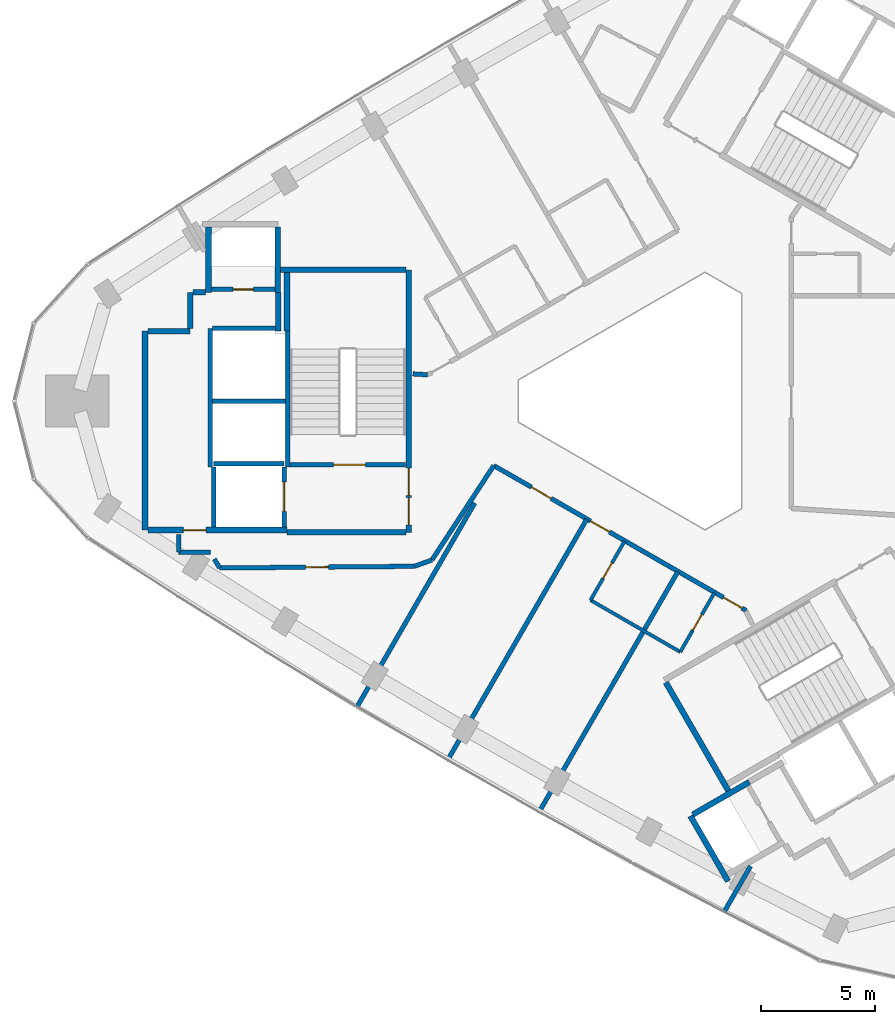
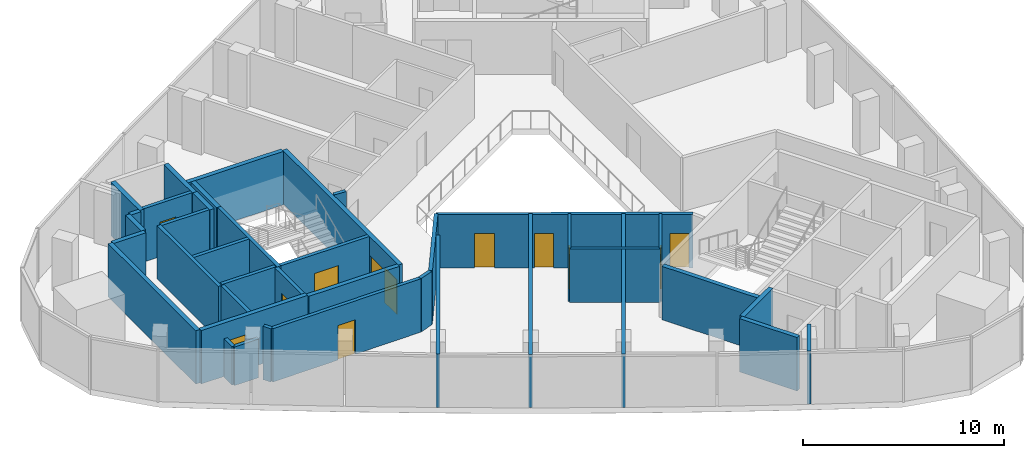
# One storey, part 7 of 11: 39 walls, 12 doors, 12 openings.
"""IFC4 building model written with IfcOpenShell, lengths in metres."""

from ifc_helpers import new_model, si_unit, direction, frame, frame_2d, origin, place, context, subcontext, project, spatial, rectangle, extrude, material, layer, layer_set, type_object, element, fill, save


model = new_model("IFC4")

# Units and contexts
model_context = context("Model", 3, precision=1e-05, world=origin(), true_north=direction((0.0, 1.0)))
body_context = subcontext(model_context, "Body", "Model", "MODEL_VIEW")
ifc_project = project(units=[si_unit("LENGTHUNIT", "METRE"), si_unit("AREAUNIT", "SQUARE_METRE"), si_unit("VOLUMEUNIT", "CUBIC_METRE"), si_unit("PLANEANGLEUNIT", "RADIAN"), si_unit("MASSUNIT", "GRAM", prefix="KILO")], contexts=[model_context])

# Site, building, storey
site_placement = place(None, origin())
site = spatial("IfcSite", under=ifc_project, at=site_placement, CompositionType="ELEMENT")
building_placement = place(site_placement, origin())
building = spatial("IfcBuilding", under=site, at=building_placement, Name="Tamra Quay Hotel Tower", CompositionType="ELEMENT")
storey_placement = place(building_placement, frame((0.0, 0.0, 225.0)))
storey = spatial("IfcBuildingStorey", under=building, at=storey_placement, Name="L56", CompositionType="ELEMENT", Elevation=225.0)

# Walls
ifc_material_1 = material(Name="Concrete M70", Category="concrete")
ifc_layer_1 = layer(ifc_material_1, 0.199951171875)
ifc_layer_set_1 = layer_set([ifc_layer_1], Name="Concrete M70 core wall 200")
wall_type_1 = type_object("IfcWallType", Name="Concrete M70 core wall 200", PredefinedType="SHEAR", material=ifc_layer_set_1)
wall_1_placement = place(storey_placement, frame((-16.162109375, 3.073974609375, 0.0), z_axis=(0.0, 0.0, 1.0), x_axis=(0.0, -1.0, 0.0)))
element("IfcWall", 1, at=wall_1_placement, inside=storey, type_object=wall_type_1, Name="CW2", PredefinedType="SHEAR", context=body_context, shape_type="SweptSolid", body=[
    extrude(rectangle(XDim=5.97412109375, YDim=0.199951171875, at=frame_2d((2.987060546875, 0.0))), origin(), (0.0, 0.0, 1.0), 3.25),
])
wall_2_placement = place(storey_placement, frame((-19.5625, -2.900146484375, 0.0), z_axis=(0.0, 0.0, 1.0), x_axis=(0.0, 1.0, 0.0)))
element("IfcWall", 2, at=wall_2_placement, inside=storey, type_object=wall_type_1, Name="CW2", PredefinedType="SHEAR", context=body_context, shape_type="SweptSolid", body=[
    extrude(rectangle(XDim=6.100341796875, YDim=0.199951171875, at=frame_2d((3.05029296875, 0.0))), origin(), (0.0, 0.0, 1.0), 3.25),
])

# Wall, opening, door
wall_3_placement = place(storey_placement, frame((-10.96337890625, -2.800048828125, 0.0), z_axis=(0.0, 0.0, 1.0), x_axis=(-1.0, 0.0, 0.0)))
wall_3 = element("IfcWall", 3, at=wall_3_placement, inside=storey, type_object=wall_type_1, Name="CW2", PredefinedType="SHEAR", context=body_context, shape_type="SweptSolid", body=[
    extrude(rectangle(XDim=5.097900390625, YDim=0.199951171875, at=frame_2d((2.548828125, 0.0))), origin(), (0.0, 0.0, 1.0), 3.25),
])
opening_1_placement = place(wall_3_placement, frame((1.77392578125, 0.0, 0.0)))
opening_1 = element("IfcOpeningElement", 4, at=opening_1_placement, cuts=wall_3, Name="Opening FD2", PredefinedType="OPENING", context=body_context, shape_type="SweptSolid", body=[
    extrude(rectangle(XDim=1.39990234375, YDim=2.10009765625, at=frame_2d((0.699951171875, 1.050048828125))), frame((0.0, 0.10986328125, 0.0), z_axis=(0.0, -1.0, 0.0), x_axis=(1.0, 0.0, 0.0)), (0.0, 0.0, 1.0), 0.219970703125),
])
ifc_material_2 = material(Name="Core door FD2 1400x2100 RH")
door_type_1 = type_object("IfcDoorType", Name="Core door FD2 1400x2100 RH", OperationType="NOTDEFINED", PredefinedType="DOOR", material=ifc_material_2)
door_1_placement = place(opening_1_placement, origin())
door_1 = element("IfcDoor", 5, at=door_1_placement, inside=storey, type_object=door_type_1, Name="FD2", OperationType="SINGLE_SWING_RIGHT", OverallHeight=2.10009765625, OverallWidth=1.39990234375, PredefinedType="DOOR", context=body_context, shape_type="SweptSolid", body=[
    extrude(rectangle(XDim=1.39990234375, YDim=2.10009765625, at=frame_2d((0.699951171875, 1.050048828125))), frame((0.0, 0.02490234375, 0.0), z_axis=(0.0, -1.0, 0.0), x_axis=(1.0, 0.0, 0.0)), (0.0, 0.0, 1.0), 0.050048828125),
])
fill(opening_1, door_1)

# Wall
wall_4_placement = place(storey_placement, frame((-16.26318359375, 0.0, 0.0), z_axis=(0.0, 0.0, 1.0), x_axis=(-1.0, 0.0, 0.0)))
element("IfcWall", 6, at=wall_4_placement, inside=storey, type_object=wall_type_1, Name="CW2", PredefinedType="SHEAR", context=body_context, shape_type="SweptSolid", body=[
    extrude(rectangle(XDim=3.1982421875, YDim=0.199951171875, at=frame_2d((1.59912109375, 0.0))), origin(), (0.0, 0.0, 1.0), 3.25),
])

# Wall, opening, door
wall_5_placement = place(storey_placement, frame((-19.51123046875, 4.91015625, 0.0), z_axis=(0.0, 0.0, 1.0), x_axis=(1.0, 0.0, 0.0)))
wall_5 = element("IfcWall", 7, at=wall_5_placement, inside=storey, type_object=wall_type_1, Name="CW2", PredefinedType="SHEAR", context=body_context, shape_type="SweptSolid", body=[
    extrude(rectangle(XDim=2.7978515625, YDim=0.199951171875, at=frame_2d((1.39892578125, 0.0))), origin(), (0.0, 0.0, 1.0), 3.25),
])
opening_2_placement = place(wall_5_placement, frame((0.948974609375, 0.0, 0.0)))
opening_2 = element("IfcOpeningElement", 8, at=opening_2_placement, cuts=wall_5, Name="Opening D1", PredefinedType="OPENING", context=body_context, shape_type="SweptSolid", body=[
    extrude(rectangle(XDim=0.89990234375, YDim=2.10009765625, at=frame_2d((0.449951171875, 1.050048828125))), frame((0.0, 0.10986328125, 0.0), z_axis=(0.0, -1.0, 0.0), x_axis=(1.0, 0.0, 0.0)), (0.0, 0.0, 1.0), 0.219970703125),
])
ifc_material_3 = material(Name="Core door D1 900x2100 LH")
door_type_2 = type_object("IfcDoorType", Name="Core door D1 900x2100 LH", OperationType="NOTDEFINED", PredefinedType="DOOR", material=ifc_material_3)
door_2_placement = place(opening_2_placement, origin())
door_2 = element("IfcDoor", 9, at=door_2_placement, inside=storey, type_object=door_type_2, Name="D1", OperationType="SINGLE_SWING_LEFT", OverallHeight=2.10009765625, OverallWidth=0.89990234375, PredefinedType="DOOR", context=body_context, shape_type="SweptSolid", body=[
    extrude(rectangle(XDim=0.89990234375, YDim=2.10009765625, at=frame_2d((0.449951171875, 1.050048828125))), frame((0.0, 0.02490234375, 0.0), z_axis=(0.0, -1.0, 0.0), x_axis=(1.0, 0.0, 0.0)), (0.0, 0.0, 1.0), 0.050048828125),
])
fill(opening_2, door_2)

# Walls
wall_6_placement = place(storey_placement, frame((-19.46240234375, 3.2001953125, 0.0), z_axis=(0.0, 0.0, 1.0), x_axis=(1.0, 0.0, 0.0)))
element("IfcWall", 10, at=wall_6_placement, inside=storey, type_object=wall_type_1, Name="CW2", PredefinedType="SHEAR", context=body_context, shape_type="SweptSolid", body=[
    extrude(rectangle(XDim=2.759033203125, YDim=0.199951171875, at=frame_2d((1.37939453125, 0.0))), origin(), (0.0, 0.0, 1.0), 3.25),
])
wall_7_placement = place(storey_placement, frame((-19.412353515625, -2.75, 0.0), z_axis=(0.0, 0.0, 1.0), x_axis=(1.0, 0.0, 0.0)))
element("IfcWall", 11, at=wall_7_placement, inside=storey, type_object=wall_type_1, Name="CW2", PredefinedType="SHEAR", context=body_context, shape_type="SweptSolid", body=[
    extrude(rectangle(XDim=3.10009765625, YDim=0.199951171875, at=frame_2d((1.550048828125, 0.0))), origin(), (0.0, 0.0, 1.0), 3.25),
])

# Wall, opening, door
wall_8_placement = place(storey_placement, frame((-16.312255859375, -2.898193359375, 0.0), z_axis=(0.0, 0.0, 1.0), x_axis=(0.0, -1.0, 0.0)))
wall_8 = element("IfcWall", 12, at=wall_8_placement, inside=storey, type_object=wall_type_1, Name="CW2", PredefinedType="SHEAR", context=body_context, shape_type="SweptSolid", body=[
    extrude(rectangle(XDim=2.65087890625, YDim=0.199951171875, at=frame_2d((1.325439453125, 0.0))), origin(), (0.0, 0.0, 1.0), 3.25),
])
opening_3_placement = place(wall_8_placement, frame((0.65185546875, 0.0, 0.0)))
opening_3 = element("IfcOpeningElement", 13, at=opening_3_placement, cuts=wall_8, Name="Opening LD", PredefinedType="OPENING", context=body_context, shape_type="SweptSolid", body=[
    extrude(rectangle(XDim=1.300048828125, YDim=2.10009765625, at=frame_2d((0.64990234375, 1.050048828125))), frame((0.0, 0.10986328125, 0.0), z_axis=(0.0, -1.0, 0.0), x_axis=(1.0, 0.0, 0.0)), (0.0, 0.0, 1.0), 0.219970703125),
])
ifc_material_4 = material(Name="Landing door LD 1300 sliding to right")
door_type_3 = type_object("IfcDoorType", Name="Landing door LD 1300 sliding to right", OperationType="NOTDEFINED", PredefinedType="DOOR", material=ifc_material_4)
door_3_placement = place(opening_3_placement, origin())
door_3 = element("IfcDoor", 14, at=door_3_placement, inside=storey, type_object=door_type_3, Name="LD", OperationType="SLIDING_TO_RIGHT", OverallHeight=2.10009765625, OverallWidth=1.300048828125, PredefinedType="DOOR", context=body_context, shape_type="SweptSolid", body=[
    extrude(rectangle(XDim=1.300048828125, YDim=2.10009765625, at=frame_2d((0.64990234375, 1.050048828125))), frame((0.0, 0.02490234375, 0.0), z_axis=(0.0, -1.0, 0.0), x_axis=(1.0, 0.0, 0.0)), (0.0, 0.0, 1.0), 0.050048828125),
])
fill(opening_3, door_3)

# Wall
wall_9_placement = place(storey_placement, frame((-19.412353515625, -5.549072265625, 0.0), z_axis=(0.0, 0.0, 1.0), x_axis=(0.0, 1.0, 0.0)))
element("IfcWall", 15, at=wall_9_placement, inside=storey, type_object=wall_type_1, Name="CW2", PredefinedType="SHEAR", context=body_context, shape_type="SweptSolid", body=[
    extrude(rectangle(XDim=2.65087890625, YDim=0.199951171875, at=frame_2d((1.325439453125, 0.0))), origin(), (0.0, 0.0, 1.0), 3.25),
])

# Wall, openings, doors
ifc_layer_2 = layer(ifc_material_1, 0.25)
ifc_layer_set_2 = layer_set([ifc_layer_2], Name="Concrete M70 core wall 250")
wall_type_2 = type_object("IfcWallType", Name="Concrete M70 core wall 250", PredefinedType="SHEAR", material=ifc_layer_set_2)
wall_10_placement = place(storey_placement, frame((-10.83740234375, 5.77490234375, 0.0), z_axis=(0.0, 0.0, 1.0), x_axis=(0.0, -1.0, 0.0)))
wall_10 = element("IfcWall", 16, at=wall_10_placement, inside=storey, type_object=wall_type_2, Name="CW1", PredefinedType="SHEAR", context=body_context, shape_type="SweptSolid", body=[
    extrude(rectangle(XDim=11.5498046875, YDim=0.25, at=frame_2d((5.77490234375, 0.0))), origin(), (0.0, 0.0, 1.0), 3.25),
])
opening_4_placement = place(wall_10_placement, frame((10.02490234375, 0.0, 0.0)))
opening_4 = element("IfcOpeningElement", 17, at=opening_4_placement, cuts=wall_10, Name="Opening FD1", PredefinedType="OPENING", context=body_context, shape_type="SweptSolid", body=[
    extrude(rectangle(XDim=1.199951171875, YDim=2.10009765625, at=frame_2d((0.60009765625, 1.050048828125))), frame((0.0, 0.135009765625, 0.0), z_axis=(0.0, -1.0, 0.0), x_axis=(1.0, 0.0, 0.0)), (0.0, 0.0, 1.0), 0.27001953125),
])
opening_5_placement = place(wall_10_placement, frame((8.72509765625, 0.0, 0.0)))
opening_5 = element("IfcOpeningElement", 18, at=opening_5_placement, cuts=wall_10, Name="Opening FD1", PredefinedType="OPENING", context=body_context, shape_type="SweptSolid", body=[
    extrude(rectangle(XDim=1.199951171875, YDim=2.10009765625, at=frame_2d((0.60009765625, 1.050048828125))), frame((0.0, 0.135009765625, 0.0), z_axis=(0.0, -1.0, 0.0), x_axis=(1.0, 0.0, 0.0)), (0.0, 0.0, 1.0), 0.27001953125),
])
ifc_material_5 = material(Name="Core door FD1 1200x2100 LH")
door_type_4 = type_object("IfcDoorType", Name="Core door FD1 1200x2100 LH", OperationType="NOTDEFINED", PredefinedType="DOOR", material=ifc_material_5)
door_4_placement = place(opening_4_placement, origin())
door_4 = element("IfcDoor", 19, at=door_4_placement, inside=storey, type_object=door_type_4, Name="FD1", OperationType="SINGLE_SWING_LEFT", OverallHeight=2.10009765625, OverallWidth=1.199951171875, PredefinedType="DOOR", context=body_context, shape_type="SweptSolid", body=[
    extrude(rectangle(XDim=1.199951171875, YDim=2.10009765625, at=frame_2d((0.60009765625, 1.050048828125))), frame((0.0, 0.02490234375, 0.0), z_axis=(0.0, -1.0, 0.0), x_axis=(1.0, 0.0, 0.0)), (0.0, 0.0, 1.0), 0.050048828125),
])
fill(opening_4, door_4)
ifc_material_6 = material(Name="Core door FD1 1200x2100 RH")
door_type_5 = type_object("IfcDoorType", Name="Core door FD1 1200x2100 RH", OperationType="NOTDEFINED", PredefinedType="DOOR", material=ifc_material_6)
door_5_placement = place(opening_5_placement, origin())
door_5 = element("IfcDoor", 20, at=door_5_placement, inside=storey, type_object=door_type_5, Name="FD1", OperationType="SINGLE_SWING_RIGHT", OverallHeight=2.10009765625, OverallWidth=1.199951171875, PredefinedType="DOOR", context=body_context, shape_type="SweptSolid", body=[
    extrude(rectangle(XDim=1.199951171875, YDim=2.10009765625, at=frame_2d((0.60009765625, 1.050048828125))), frame((0.0, 0.02490234375, 0.0), z_axis=(0.0, -1.0, 0.0), x_axis=(1.0, 0.0, 0.0)), (0.0, 0.0, 1.0), 0.050048828125),
])
fill(opening_5, door_5)

# Wall
wall_11_placement = place(storey_placement, frame((-22.437255859375, -5.675048828125, 0.0), z_axis=(0.0, 0.0, 1.0), x_axis=(0.0, 1.0, 0.0)))
element("IfcWall", 21, at=wall_11_placement, inside=storey, type_object=wall_type_2, Name="CW1", PredefinedType="SHEAR", context=body_context, shape_type="SweptSolid", body=[
    extrude(rectangle(XDim=8.75, YDim=0.25, at=frame_2d((4.375, 0.0))), origin(), (0.0, 0.0, 1.0), 3.25),
])

# Wall, opening, door
wall_12_placement = place(storey_placement, frame((-16.187255859375, -5.675048828125, 0.0), z_axis=(0.0, 0.0, 1.0), x_axis=(-1.0, 0.0, 0.0)))
wall_12 = element("IfcWall", 22, at=wall_12_placement, inside=storey, type_object=wall_type_2, Name="CW1", PredefinedType="SHEAR", context=body_context, shape_type="SweptSolid", body=[
    extrude(rectangle(XDim=6.12451171875, YDim=0.25, at=frame_2d((3.062255859375, 0.0))), origin(), (0.0, 0.0, 1.0), 3.25),
])
opening_6_placement = place(wall_12_placement, frame((3.562744140625, 0.0, 0.0)))
opening_6 = element("IfcOpeningElement", 23, at=opening_6_placement, cuts=wall_12, Name="Opening FD3", PredefinedType="OPENING", context=body_context, shape_type="SweptSolid", body=[
    extrude(rectangle(XDim=1.0, YDim=2.10009765625, at=frame_2d((0.5, 1.050048828125))), frame((0.0, 0.135009765625, 0.0), z_axis=(0.0, -1.0, 0.0), x_axis=(1.0, 0.0, 0.0)), (0.0, 0.0, 1.0), 0.27001953125),
])
ifc_material_7 = material(Name="Core door FD3 1000x2100 LH")
door_type_6 = type_object("IfcDoorType", Name="Core door FD3 1000x2100 LH", OperationType="NOTDEFINED", PredefinedType="DOOR", material=ifc_material_7)
door_6_placement = place(opening_6_placement, origin())
door_6 = element("IfcDoor", 24, at=door_6_placement, inside=storey, type_object=door_type_6, Name="FD3", OperationType="SINGLE_SWING_LEFT", OverallHeight=2.10009765625, OverallWidth=1.0, PredefinedType="DOOR", context=body_context, shape_type="SweptSolid", body=[
    extrude(rectangle(XDim=1.0, YDim=2.10009765625, at=frame_2d((0.5, 1.050048828125))), frame((0.0, 0.02490234375, 0.0), z_axis=(0.0, -1.0, 0.0), x_axis=(1.0, 0.0, 0.0)), (0.0, 0.0, 1.0), 0.050048828125),
])
fill(opening_6, door_6)

# Walls
wall_13_placement = place(storey_placement, frame((-10.962646484375, -5.77490234375, 0.0), z_axis=(0.0, 0.0, 1.0), x_axis=(-1.0, 0.0, 0.0)))
element("IfcWall", 25, at=wall_13_placement, inside=storey, type_object=wall_type_2, Name="CW1", PredefinedType="SHEAR", context=body_context, shape_type="SweptSolid", body=[
    extrude(rectangle(XDim=5.224609375, YDim=0.25, at=frame_2d((2.6123046875, 0.0))), origin(), (0.0, 0.0, 1.0), 3.25),
])
wall_14_placement = place(storey_placement, frame((-16.47216796875, 5.77490234375, 0.0), z_axis=(0.0, 0.0, 1.0), x_axis=(1.0, 0.0, 0.0)))
element("IfcWall", 26, at=wall_14_placement, inside=storey, type_object=wall_type_2, Name="CW1", PredefinedType="SHEAR", context=body_context, shape_type="SweptSolid", body=[
    extrude(rectangle(XDim=5.509521484375, YDim=0.25, at=frame_2d((2.7548828125, 0.0))), origin(), (0.0, 0.0, 1.0), 3.25),
])
for number, where, z_axis, x_axis, name in (
    (27, (-16.58740234375, 7.649658203125, 0.0), (0.0, 0.0, 1.0), (0.0, -1.0, 0.0), "CW1"),
    (28, (-19.63720703125, 4.784912109375, 0.0), (0.0, 0.0, 1.0), (0.0, 1.0, 0.0), "CW1"),
):
    element("IfcWall", number, at=place(storey_placement, frame(where, z_axis=z_axis, x_axis=x_axis)), inside=storey, type_object=wall_type_2, Name=name, PredefinedType="SHEAR", context=body_context, shape_type="SweptSolid", body=[
        extrude(rectangle(XDim=2.86474609375, YDim=0.25, at=frame_2d((1.432373046875, 0.0))), origin(), (0.0, 0.0, 1.0), 3.25),
    ])
wall_15_placement = place(storey_placement, frame((-16.187255859375, 3.074951171875, 0.0), z_axis=(0.0, 0.0, 1.0), x_axis=(0.0, 1.0, 0.0)))
element("IfcWall", 29, at=wall_15_placement, inside=storey, type_object=wall_type_2, Name="CW1", PredefinedType="SHEAR", context=body_context, shape_type="SweptSolid", body=[
    extrude(rectangle(XDim=2.57470703125, YDim=0.25, at=frame_2d((1.287353515625, 0.0))), origin(), (0.0, 0.0, 1.0), 3.25),
])
wall_16_placement = place(storey_placement, frame((-22.311767578125, 3.074951171875, 0.0), z_axis=(0.0, 0.0, 1.0), x_axis=(1.0, 0.0, 0.0)))
element("IfcWall", 30, at=wall_16_placement, inside=storey, type_object=wall_type_2, Name="CW1", PredefinedType="SHEAR", context=body_context, shape_type="SweptSolid", body=[
    extrude(rectangle(XDim=1.864501953125, YDim=0.25, at=frame_2d((0.93212890625, 0.0))), origin(), (0.0, 0.0, 1.0), 3.25),
])
wall_17_placement = place(storey_placement, frame((-16.577392578125, 4.784912109375, 0.0), z_axis=(0.0, 0.0, 1.0), x_axis=(0.0, -1.0, 0.0)))
element("IfcWall", 31, at=wall_17_placement, inside=storey, type_object=wall_type_2, Name="CW1", PredefinedType="SHEAR", context=body_context, shape_type="SweptSolid", body=[
    extrude(rectangle(XDim=1.7099609375, YDim=0.25, at=frame_2d((0.85498046875, 0.0))), origin(), (0.0, 0.0, 1.0), 3.25),
])
wall_18_placement = place(storey_placement, frame((-20.447265625, 3.200439453125, 0.0), z_axis=(0.0, 0.0, 1.0), x_axis=(0.0, 1.0, 0.0)))
element("IfcWall", 32, at=wall_18_placement, inside=storey, type_object=wall_type_2, Name="CW1", PredefinedType="SHEAR", context=body_context, shape_type="SweptSolid", body=[
    extrude(rectangle(XDim=1.58447265625, YDim=0.25, at=frame_2d((0.792236328125, 0.0))), origin(), (0.0, 0.0, 1.0), 3.25),
])
wall_19_placement = place(storey_placement, frame((-20.32177734375, 4.784912109375, 0.0), z_axis=(0.0, 0.0, 1.0), x_axis=(1.0, 0.0, 0.0)))
element("IfcWall", 33, at=wall_19_placement, inside=storey, type_object=wall_type_2, Name="CW1", PredefinedType="SHEAR", context=body_context, shape_type="SweptSolid", body=[
    extrude(rectangle(XDim=0.55908203125, YDim=0.25, at=frame_2d((0.279541015625, 0.0))), origin(), (0.0, 0.0, 1.0), 3.25),
])
wall_20_placement = place(storey_placement, frame((3.23486328125, -17.15283203125, 0.0), z_axis=(0.0, 0.0, 1.0), x_axis=(-0.500008851346, 0.866020293397, 0.0)))
element("IfcWall", 34, at=wall_20_placement, inside=storey, type_object=wall_type_2, Name="CW1", PredefinedType="SHEAR", context=body_context, shape_type="SweptSolid", body=[
    extrude(rectangle(XDim=5.509765625, YDim=0.25, at=frame_2d((2.7548828125, 0.0))), origin(), (0.0, 0.0, 1.0), 3.25),
])
wall_21_placement = place(storey_placement, frame((3.216796875, -21.12158203125, 0.0), z_axis=(0.0, 0.0, 1.0), x_axis=(-0.499998874531, 0.866026053573, 0.0)))
element("IfcWall", 35, at=wall_21_placement, inside=storey, type_object=wall_type_2, Name="CW1", PredefinedType="SHEAR", context=body_context, shape_type="SweptSolid", body=[
    extrude(rectangle(XDim=3.31298828125, YDim=0.25, at=frame_2d((1.656494140625, 0.0))), origin(), (0.0, 0.0, 1.0), 3.25),
])
wall_22_placement = place(storey_placement, frame((1.6689453125, -18.189697265625, 0.0), z_axis=(0.0, 0.0, 1.0), x_axis=(0.866042235819, 0.499970844928, 0.0)))
element("IfcWall", 36, at=wall_22_placement, inside=storey, type_object=wall_type_2, Name="CW1", PredefinedType="SHEAR", context=body_context, shape_type="SweptSolid", body=[
    extrude(rectangle(XDim=2.864501953125, YDim=0.25, at=frame_2d((1.43212890625, 0.0))), origin(), (0.0, 0.0, 1.0), 3.25),
])
ifc_material_8 = material(Name="Partition corridor wall")
ifc_layer_3 = layer(ifc_material_8, 0.199951171875)
ifc_layer_set_3 = layer_set([ifc_layer_3], Name="Partition corridor wall")
wall_type_3 = type_object("IfcWallType", Name="Partition corridor wall", PredefinedType="PARTITIONING", material=ifc_layer_set_3)
wall_23_placement = place(storey_placement, frame((-20.949951171875, -6.64990234375, 0.0), z_axis=(0.0, 0.0, 1.0), x_axis=(0.0, 1.0, 0.0)))
element("IfcWall", 37, at=wall_23_placement, inside=storey, type_object=wall_type_3, Name="W-C", PredefinedType="PARTITIONING", context=body_context, shape_type="SweptSolid", body=[
    extrude(rectangle(XDim=0.789794921875, YDim=0.199951171875, at=frame_2d((0.39501953125, 0.0))), origin(), (0.0, 0.0, 1.0), 2.35009765625),
])
wall_24_placement = place(storey_placement, frame((-20.949951171875, -6.64990234375, 0.0), z_axis=(0.0, 0.0, 1.0), x_axis=(1.0, 0.0, 0.0)))
element("IfcWall", 38, at=wall_24_placement, inside=storey, type_object=wall_type_3, Name="W-C", PredefinedType="PARTITIONING", context=body_context, shape_type="SweptSolid", body=[
    extrude(rectangle(XDim=1.386962890625, YDim=0.199951171875, at=frame_2d((0.693359375, 0.0))), origin(), (0.0, 0.0, 1.0), 2.35009765625),
])
wall_25_placement = place(storey_placement, frame((-19.14990234375, -7.339111328125, 0.0), z_axis=(0.0, 0.0, 1.0), x_axis=(-0.513941661048, 0.857825138964, 0.0)))
element("IfcWall", 39, at=wall_25_placement, inside=storey, type_object=wall_type_3, Name="W-C", PredefinedType="PARTITIONING", context=body_context, shape_type="SweptSolid", body=[
    extrude(rectangle(XDim=0.45361328125, YDim=0.199951171875, at=frame_2d((0.226806640625, 0.0))), origin(), (0.0, 0.0, 1.0), 3.25),
])

# Wall, opening, door
wall_26_placement = place(storey_placement, frame((-19.14990234375, -7.341064453125, 0.0), z_axis=(0.0, 0.0, 1.0), x_axis=(0.999964623126, 0.008411450351, 0.0)))
wall_26 = element("IfcWall", 40, at=wall_26_placement, inside=storey, type_object=wall_type_3, Name="W-C", PredefinedType="PARTITIONING", context=body_context, shape_type="SweptSolid", body=[
    extrude(rectangle(XDim=8.562255859375, YDim=0.199951171875, at=frame_2d((4.28125, 0.0))), origin(), (0.0, 0.0, 1.0), 3.25),
])
opening_7_placement = place(wall_26_placement, frame((3.78125, 0.0, 0.0)))
opening_7 = element("IfcOpeningElement", 41, at=opening_7_placement, cuts=wall_26, Name="Opening L56-D009", PredefinedType="OPENING", context=body_context, shape_type="SweptSolid", body=[
    extrude(rectangle(XDim=1.0, YDim=2.10009765625, at=frame_2d((0.5, 1.050048828125))), frame((0.0, 0.10986328125, 0.0), z_axis=(0.0, -1.0, 0.0), x_axis=(1.0, 0.0, 0.0)), (0.0, 0.0, 1.0), 0.219970703125),
])
ifc_material_9 = material(Name="Door guest room 1000x2100")
door_type_7 = type_object("IfcDoorType", Name="Door guest room 1000x2100", OperationType="NOTDEFINED", PredefinedType="DOOR", material=ifc_material_9)
door_7_placement = place(opening_7_placement, origin())
door_7 = element("IfcDoor", 42, at=door_7_placement, inside=storey, type_object=door_type_7, Name="L56-D009", OperationType="SINGLE_SWING_LEFT", OverallHeight=2.10009765625, OverallWidth=1.0, PredefinedType="DOOR", context=body_context, shape_type="SweptSolid", body=[
    extrude(rectangle(XDim=1.0, YDim=2.10009765625, at=frame_2d((0.5, 1.050048828125))), frame((0.0, 0.02490234375, 0.0), z_axis=(0.0, -1.0, 0.0), x_axis=(1.0, 0.0, 0.0)), (0.0, 0.0, 1.0), 0.050048828125),
])
fill(opening_7, door_7)

# Walls
wall_27_placement = place(storey_placement, frame((-10.65234375, 1.1962890625, 0.0), z_axis=(0.0, 0.0, 1.0), x_axis=(0.998005794618, -0.063122372489, 0.0)))
element("IfcWall", 43, at=wall_27_placement, inside=storey, type_object=wall_type_3, Name="W-C", PredefinedType="PARTITIONING", context=body_context, shape_type="SweptSolid", body=[
    extrude(rectangle(XDim=0.653564453125, YDim=0.199951171875, at=frame_2d((0.32666015625, 0.0))), origin(), (0.0, 0.0, 1.0), 3.25),
])
wall_28_placement = place(storey_placement, frame((-10.587890625, -7.26904296875, 0.0), z_axis=(0.0, 0.0, 1.0), x_axis=(0.941741911595, 0.336336396998, 0.0)))
element("IfcWall", 44, at=wall_28_placement, inside=storey, type_object=wall_type_3, Name="W-C", PredefinedType="PARTITIONING", context=body_context, shape_type="SweptSolid", body=[
    extrude(rectangle(XDim=0.823974609375, YDim=0.199951171875, at=frame_2d((0.412109375, 0.0))), origin(), (0.0, 0.0, 1.0), 3.25),
])
wall_29_placement = place(storey_placement, frame((-9.80810546875, -6.989013671875, 0.0), z_axis=(0.0, 0.0, 1.0), x_axis=(0.547746188785, 0.836644555753, 0.0)))
element("IfcWall", 45, at=wall_29_placement, inside=storey, type_object=wall_type_3, Name="W-C", PredefinedType="PARTITIONING", context=body_context, shape_type="SweptSolid", body=[
    extrude(rectangle(XDim=4.9638671875, YDim=0.199951171875, at=frame_2d((2.48193359375, 0.0))), origin(), (0.0, 0.0, 1.0), 3.25),
])

# Wall, openings, doors
wall_30_placement = place(storey_placement, frame((-7.089111328125, -2.8359375, 0.0), z_axis=(0.0, 0.0, 1.0), x_axis=(0.867106243364, -0.498123240493, 0.0)))
wall_30 = element("IfcWall", 46, at=wall_30_placement, inside=storey, type_object=wall_type_3, Name="W-C", PredefinedType="PARTITIONING", context=body_context, shape_type="SweptSolid", body=[
    extrude(rectangle(XDim=12.804443359375, YDim=0.199951171875, at=frame_2d((6.40234375, 0.0))), origin(), (0.0, 0.0, 1.0), 3.25),
])
opening_8_placement = place(wall_30_placement, frame((1.9091796875, 0.0, 0.0)))
opening_8 = element("IfcOpeningElement", 47, at=opening_8_placement, cuts=wall_30, Name="Opening L56-D010", PredefinedType="OPENING", context=body_context, shape_type="SweptSolid", body=[
    extrude(rectangle(XDim=1.0, YDim=2.10009765625, at=frame_2d((0.5, 1.050048828125))), frame((0.0, 0.10986328125, 0.0), z_axis=(0.0, -1.0, 0.0), x_axis=(1.0, 0.0, 0.0)), (0.0, 0.0, 1.0), 0.219970703125),
])
opening_9_placement = place(wall_30_placement, frame((4.909912109375, 0.0, 0.0)))
opening_9 = element("IfcOpeningElement", 48, at=opening_9_placement, cuts=wall_30, Name="Opening L56-D011", PredefinedType="OPENING", context=body_context, shape_type="SweptSolid", body=[
    extrude(rectangle(XDim=0.949951171875, YDim=2.10009765625, at=frame_2d((0.47509765625, 1.050048828125))), frame((0.0, 0.10986328125, 0.0), z_axis=(0.0, -1.0, 0.0), x_axis=(1.0, 0.0, 0.0)), (0.0, 0.0, 1.0), 0.219970703125),
])
opening_10_placement = place(wall_30_placement, frame((11.654296875, 0.0, 0.0)))
opening_10 = element("IfcOpeningElement", 49, at=opening_10_placement, cuts=wall_30, Name="Opening L56-D013", PredefinedType="OPENING", context=body_context, shape_type="SweptSolid", body=[
    extrude(rectangle(XDim=0.949951171875, YDim=2.10009765625, at=frame_2d((0.47509765625, 1.050048828125))), frame((0.0, 0.10986328125, 0.0), z_axis=(0.0, -1.0, 0.0), x_axis=(1.0, 0.0, 0.0)), (0.0, 0.0, 1.0), 0.219970703125),
])
door_8_placement = place(opening_8_placement, frame((1.0, 0.0, 0.0), z_axis=(0.0, 0.0, 1.0), x_axis=(-1.0, 0.0, 0.0)))
door_8 = element("IfcDoor", 50, at=door_8_placement, inside=storey, type_object=door_type_7, Name="L56-D010", OperationType="SINGLE_SWING_LEFT", OverallHeight=2.10009765625, OverallWidth=1.0, PredefinedType="DOOR", context=body_context, shape_type="SweptSolid", body=[
    extrude(rectangle(XDim=1.0, YDim=2.10009765625, at=frame_2d((0.5, 1.050048828125))), frame((0.0, 0.02490234375, 0.0), z_axis=(0.0, -1.0, 0.0), x_axis=(1.0, 0.0, 0.0)), (0.0, 0.0, 1.0), 0.050048828125),
])
fill(opening_8, door_8)
ifc_material_10 = material(Name="Door guest room 950x2100")
door_type_8 = type_object("IfcDoorType", Name="Door guest room 950x2100", OperationType="NOTDEFINED", PredefinedType="DOOR", material=ifc_material_10)
door_9_placement = place(opening_9_placement, frame((0.949951171875, 0.0, 0.0), z_axis=(0.0, 0.0, 1.0), x_axis=(-1.0, 0.0, 0.0)))
door_9 = element("IfcDoor", 51, at=door_9_placement, inside=storey, type_object=door_type_8, Name="L56-D011", OperationType="SINGLE_SWING_LEFT", OverallHeight=2.10009765625, OverallWidth=0.949951171875, PredefinedType="DOOR", context=body_context, shape_type="SweptSolid", body=[
    extrude(rectangle(XDim=0.949951171875, YDim=2.10009765625, at=frame_2d((0.47509765625, 1.050048828125))), frame((0.0, 0.02490234375, 0.0), z_axis=(0.0, -1.0, 0.0), x_axis=(1.0, 0.0, 0.0)), (0.0, 0.0, 1.0), 0.050048828125),
])
fill(opening_9, door_9)
door_10_placement = place(opening_10_placement, frame((0.949951171875, 0.0, 0.0), z_axis=(0.0, 0.0, 1.0), x_axis=(-1.0, 0.0, 0.0)))
door_10 = element("IfcDoor", 52, at=door_10_placement, inside=storey, type_object=door_type_8, Name="L56-D013", OperationType="SINGLE_SWING_LEFT", OverallHeight=2.10009765625, OverallWidth=0.949951171875, PredefinedType="DOOR", context=body_context, shape_type="SweptSolid", body=[
    extrude(rectangle(XDim=0.949951171875, YDim=2.10009765625, at=frame_2d((0.47509765625, 1.050048828125))), frame((0.0, 0.02490234375, 0.0), z_axis=(0.0, -1.0, 0.0), x_axis=(1.0, 0.0, 0.0)), (0.0, 0.0, 1.0), 0.050048828125),
])
fill(opening_10, door_10)

# Wall, opening, door
ifc_material_11 = material(Name="Partition en-suite wall")
ifc_layer_4 = layer(ifc_material_11, 0.14990234375)
ifc_layer_set_4 = layer_set([ifc_layer_4], Name="Partition en-suite wall")
wall_type_4 = type_object("IfcWallType", Name="Partition en-suite wall", PredefinedType="PARTITIONING", material=ifc_layer_set_4)
wall_31_placement = place(storey_placement, frame((-2.8330078125, -8.757080078125, 0.0), z_axis=(0.0, 0.0, 1.0), x_axis=(0.499990139034, 0.866031096941, 0.0)))
wall_31 = element("IfcWall", 53, at=wall_31_placement, inside=storey, type_object=wall_type_4, Name="W-E", PredefinedType="PARTITIONING", context=body_context, shape_type="SweptSolid", body=[
    extrude(rectangle(XDim=3.0, YDim=0.14990234375, at=frame_2d((1.5, 0.0))), origin(), (0.0, 0.0, 1.0), 3.25),
])
opening_11_placement = place(wall_31_placement, frame((1.10009765625, 0.0, 0.0)))
opening_11 = element("IfcOpeningElement", 54, at=opening_11_placement, cuts=wall_31, Name="Opening L56-D012", PredefinedType="OPENING", context=body_context, shape_type="SweptSolid", body=[
    extrude(rectangle(XDim=0.800048828125, YDim=2.10009765625, at=frame_2d((0.39990234375, 1.050048828125))), frame((0.0, 0.0849609375, 0.0), z_axis=(0.0, -1.0, 0.0), x_axis=(1.0, 0.0, 0.0)), (0.0, 0.0, 1.0), 0.169921875),
])
ifc_material_12 = material(Name="Door en-suite 800x2100")
door_type_9 = type_object("IfcDoorType", Name="Door en-suite 800x2100", OperationType="NOTDEFINED", PredefinedType="DOOR", material=ifc_material_12)
door_11_placement = place(opening_11_placement, frame((0.800048828125, 0.0, 0.0), z_axis=(0.0, 0.0, 1.0), x_axis=(-1.0, 0.0, 0.0)))
door_11 = element("IfcDoor", 55, at=door_11_placement, inside=storey, type_object=door_type_9, Name="L56-D012", OperationType="SINGLE_SWING_LEFT", OverallHeight=2.10009765625, OverallWidth=0.800048828125, PredefinedType="DOOR", context=body_context, shape_type="SweptSolid", body=[
    extrude(rectangle(XDim=0.800048828125, YDim=2.10009765625, at=frame_2d((0.39990234375, 1.050048828125))), frame((0.0, 0.02490234375, 0.0), z_axis=(0.0, -1.0, 0.0), x_axis=(1.0, 0.0, 0.0)), (0.0, 0.0, 1.0), 0.050048828125),
])
fill(opening_11, door_11)

# Wall
wall_32_placement = place(storey_placement, frame((-2.8330078125, -8.757080078125, 0.0), z_axis=(0.0, 0.0, 1.0), x_axis=(0.866002713795, -0.500039298155, 0.0)))
element("IfcWall", 56, at=wall_32_placement, inside=storey, type_object=wall_type_4, Name="W-E", PredefinedType="PARTITIONING", context=body_context, shape_type="SweptSolid", body=[
    extrude(rectangle(XDim=4.557861328125, YDim=0.14990234375, at=frame_2d((2.27880859375, 0.0))), origin(), (0.0, 0.0, 1.0), 3.25),
])

# Wall, opening, door
wall_33_placement = place(storey_placement, frame((1.114013671875, -11.035888671875, 0.0), z_axis=(0.0, 0.0, 1.0), x_axis=(0.50002537861, 0.866010750942, 0.0)))
wall_33 = element("IfcWall", 57, at=wall_33_placement, inside=storey, type_object=wall_type_4, Name="W-E", PredefinedType="PARTITIONING", context=body_context, shape_type="SweptSolid", body=[
    extrude(rectangle(XDim=2.999755859375, YDim=0.14990234375, at=frame_2d((1.5, 0.0))), origin(), (0.0, 0.0, 1.0), 3.25),
])
opening_12_placement = place(wall_33_placement, frame((1.10009765625, 0.0, 0.0)))
opening_12 = element("IfcOpeningElement", 58, at=opening_12_placement, cuts=wall_33, Name="Opening L56-D014", PredefinedType="OPENING", context=body_context, shape_type="SweptSolid", body=[
    extrude(rectangle(XDim=0.800048828125, YDim=2.10009765625, at=frame_2d((0.39990234375, 1.050048828125))), frame((0.0, 0.0849609375, 0.0), z_axis=(0.0, -1.0, 0.0), x_axis=(1.0, 0.0, 0.0)), (0.0, 0.0, 1.0), 0.169921875),
])
door_12_placement = place(opening_12_placement, origin())
door_12 = element("IfcDoor", 59, at=door_12_placement, inside=storey, type_object=door_type_9, Name="L56-D014", OperationType="SINGLE_SWING_LEFT", OverallHeight=2.10009765625, OverallWidth=0.800048828125, PredefinedType="DOOR", context=body_context, shape_type="SweptSolid", body=[
    extrude(rectangle(XDim=0.800048828125, YDim=2.10009765625, at=frame_2d((0.39990234375, 1.050048828125))), frame((0.0, 0.02490234375, 0.0), z_axis=(0.0, -1.0, 0.0), x_axis=(1.0, 0.0, 0.0)), (0.0, 0.0, 1.0), 0.050048828125),
])
fill(opening_12, door_12)

# Walls
ifc_material_13 = material(Name="Partition party wall")
ifc_layer_5 = layer(ifc_material_13, 0.199951171875)
ifc_layer_set_5 = layer_set([ifc_layer_5], Name="Partition party wall")
wall_type_5 = type_object("IfcWallType", Name="Partition party wall", PredefinedType="PARTITIONING", material=ifc_layer_set_5)
wall_34_placement = place(storey_placement, frame((-13.107421875, -13.452880859375, 0.0), z_axis=(0.0, 0.0, 1.0), x_axis=(0.500020349827, 0.866013654488, 0.0)))
element("IfcWall", 60, at=wall_34_placement, inside=storey, type_object=wall_type_5, Name="W-P", PredefinedType="PARTITIONING", context=body_context, shape_type="SweptSolid", body=[
    extrude(rectangle(XDim=10.357421875, YDim=0.199951171875, at=frame_2d((5.1787109375, 0.0))), origin(), (0.0, 0.0, 1.0), 3.25),
])
wall_35_placement = place(storey_placement, frame((-9.119384765625, -15.794677734375, 0.0), z_axis=(0.0, 0.0, 1.0), x_axis=(0.50001601051, 0.866016159915, 0.0)))
element("IfcWall", 61, at=wall_35_placement, inside=storey, type_object=wall_type_5, Name="W-P", PredefinedType="PARTITIONING", context=body_context, shape_type="SweptSolid", body=[
    extrude(rectangle(XDim=12.23828125, YDim=0.199951171875, at=frame_2d((6.119140625, 0.0))), origin(), (0.0, 0.0, 1.0), 3.25),
])
wall_36_placement = place(storey_placement, frame((-5.0966796875, -18.078125, 0.0), z_axis=(0.0, 0.0, 1.0), x_axis=(0.499960272111, 0.866048339477, 0.0)))
element("IfcWall", 62, at=wall_36_placement, inside=storey, type_object=wall_type_5, Name="W-P", PredefinedType="PARTITIONING", context=body_context, shape_type="SweptSolid", body=[
    extrude(rectangle(XDim=12.2041015625, YDim=0.199951171875, at=frame_2d((6.10205078125, 0.0))), origin(), (0.0, 0.0, 1.0), 3.25),
])
wall_37_placement = place(storey_placement, frame((3.046630859375, -22.466552734375, 0.0), z_axis=(0.0, 0.0, 1.0), x_axis=(0.50001757531, 0.866015256437, 0.0)))
element("IfcWall", 63, at=wall_37_placement, inside=storey, type_object=wall_type_5, Name="W-P", PredefinedType="PARTITIONING", context=body_context, shape_type="SweptSolid", body=[
    extrude(rectangle(XDim=2.3154296875, YDim=0.199951171875, at=frame_2d((1.15771484375, 0.0))), origin(), (0.0, 0.0, 1.0), 3.25),
])

save(model, "model.ifc")
